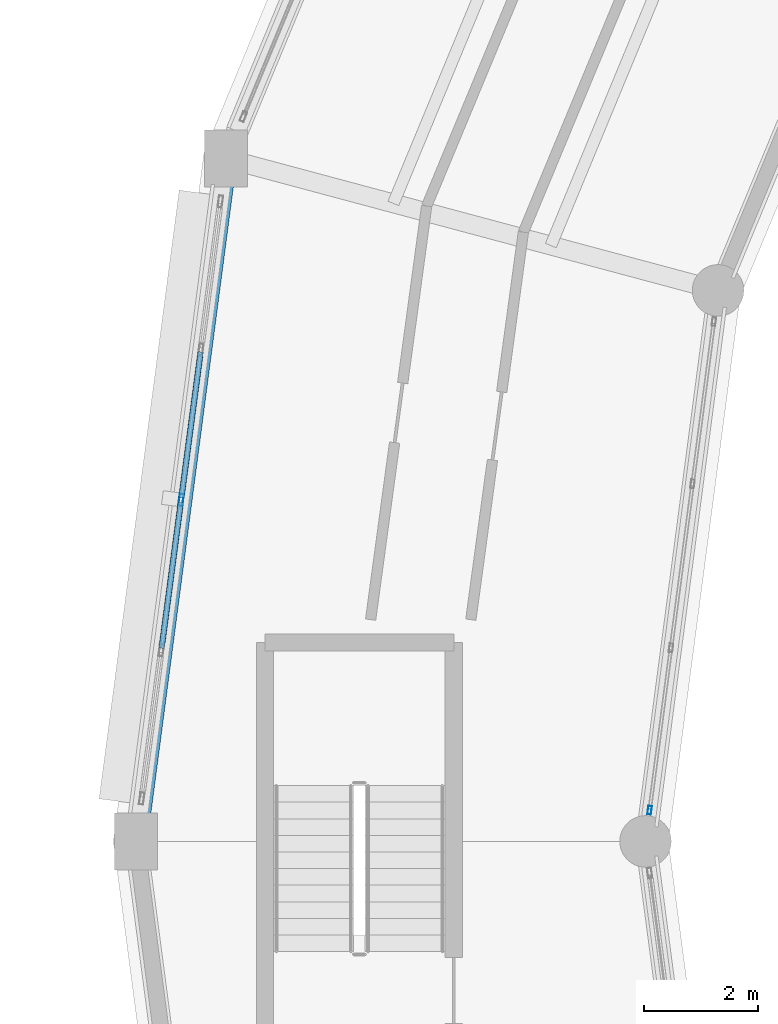
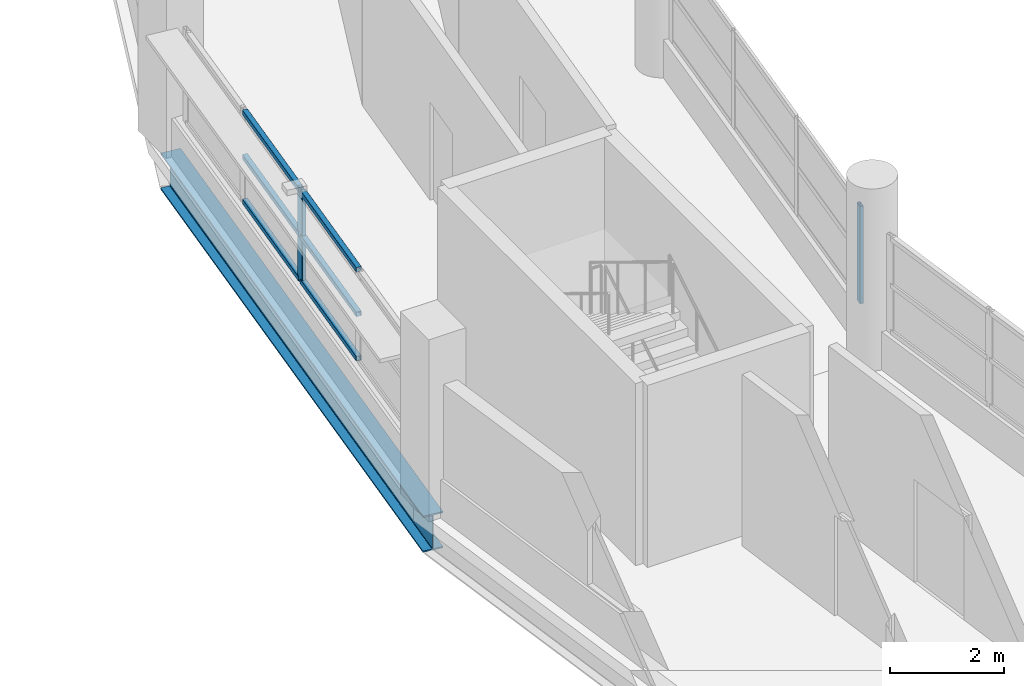
# One storey, part 13 of 53: 8 members, 1 beam, 2 elements without a shape of their own.
"""IFC4 building model written with IfcOpenShell, lengths in metres."""

from ifc_helpers import new_model, si_unit, direction, frame, origin, origin_2d, place, context, subcontext, project, spatial, hollow_rectangle, i_section, extrude, material, layer, layer_set, material_profile, profile_set, type_object, element, aggregate, save


model = new_model("IFC4")

# Units and contexts
model_context = context("Model", 3, precision=1e-05, world=origin(), true_north=direction((0.0, 1.0)))
body_context = subcontext(model_context, "Body", "Model", "MODEL_VIEW")
ifc_project = project(units=[si_unit("LENGTHUNIT", "METRE"), si_unit("AREAUNIT", "SQUARE_METRE"), si_unit("VOLUMEUNIT", "CUBIC_METRE"), si_unit("PLANEANGLEUNIT", "RADIAN"), si_unit("MASSUNIT", "GRAM", prefix="KILO")], contexts=[model_context])

# Site, building, storey
site_placement = place(None, origin())
site = spatial("IfcSite", under=ifc_project, at=site_placement, CompositionType="ELEMENT")
building_placement = place(site_placement, origin())
building = spatial("IfcBuilding", under=site, at=building_placement, Name="Vespera Passage Community Centre", CompositionType="ELEMENT")
storey_placement = place(building_placement, frame((0.0, 0.0, 20.39990234375)))
storey = spatial("IfcBuildingStorey", under=building, at=storey_placement, Name="L05", CompositionType="ELEMENT", Elevation=20.39990234375)

# Beam
ifc_material_1 = material(Name="Steel ASTM A992 Grade 50", Category="steel")
ifc_material_profile_1 = material_profile(ifc_material_1, i_section(OverallWidth=0.382080078125, OverallDepth=0.779296875, WebThickness=0.01806640625, FlangeThickness=0.030029296875, FilletRadius=0.0166015625, at=origin_2d()), Name="W30X191")
ifc_profile_set_1 = profile_set([ifc_material_profile_1], Name="Steel ASTM A992 Grade 50")
beam_type = type_object("IfcBeamType", Name="BM-SP-W30X191E", PredefinedType="SPANDREL", material=ifc_profile_set_1)
beam_placement = place(storey_placement, frame((33.470703125, 77.431640625, -0.649658203125), z_axis=(-0.130523782115, -0.991445178667, 0.0), x_axis=(0.991445178667, -0.130523782115, 0.0)))
element("IfcBeam", 1, at=beam_placement, inside=storey, type_object=beam_type, Name="V4 L05 Outer Spandrel 11", PredefinedType="SPANDREL", context=body_context, shape_type="SweptSolid", body=[
    extrude(i_section(OverallWidth=0.382080078125, OverallDepth=0.779296875, WebThickness=0.01806640625, FlangeThickness=0.030029296875, FilletRadius=0.0166015625, at=origin_2d()), origin(), (0.0, 0.0, 1.0), 12.03466796875),
])

# Curtain wall, member
ifc_material_2 = material(Name="Anodized aluminium 6063-T6", Category="aluminium")
ifc_layer_1 = layer(ifc_material_2, 0.159912109375)
ifc_layer_set_1 = layer_set([ifc_layer_1], Name="Anodized aluminium 6063-T6")
curtain_wall_type_1 = type_object("IfcCurtainWallType", Name="CW-58E", PredefinedType="NOTDEFINED", material=ifc_layer_set_1)
curtain_wall_1_placement = place(storey_placement, origin())
curtain_wall_1 = element("IfcCurtainWall", 2, at=curtain_wall_1_placement, inside=storey, type_object=curtain_wall_type_1, Name="V4 L05 Inner Court Curtain Wall 11", PredefinedType="NOTDEFINED")
ifc_material_3 = material(Name="Anodized aluminium 6063-T6", Category="aluminium")
ifc_material_profile_2 = material_profile(ifc_material_3, hollow_rectangle(XDim=0.06494140625, YDim=0.14990234375, WallThickness=0.00390625, InnerFilletRadius=0.001953125, OuterFilletRadius=0.00390625, at=origin_2d()), Name="ALU150X65X4")
ifc_profile_set_2 = profile_set([ifc_material_profile_2], Name="Anodized aluminium 6063-T6")
member_type_1 = type_object("IfcMemberType", Name="MB-CWM-150E", PredefinedType="MULLION", material=ifc_profile_set_2)
member_1_placement = place(storey_placement, frame((40.871826171875, 66.04541015625, 0.820068359375), z_axis=(0.0, 0.0, 1.0), x_axis=(0.991445387728, -0.1305221941, 0.0)))
member_1 = element("IfcMember", 3, at=member_1_placement, type_object=member_type_1, Name="CW-58E mullion 4", PredefinedType="MULLION", context=body_context, shape_type="SweptSolid", body=[
    extrude(hollow_rectangle(XDim=0.06494140625, YDim=0.14990234375, WallThickness=0.00390625, InnerFilletRadius=0.001953125, OuterFilletRadius=0.00390625, at=origin_2d()), origin(), (0.0, 0.0, 1.0), 2.08935546875),
])
aggregate(curtain_wall_1, [member_1])

# Curtain wall, members
ifc_material_4 = material(Name="Anodized aluminium 6063-T6", Category="aluminium")
ifc_layer_2 = layer(ifc_material_4, 0.159912109375)
ifc_layer_set_2 = layer_set([ifc_layer_2], Name="Anodized aluminium 6063-T6")
curtain_wall_type_2 = type_object("IfcCurtainWallType", Name="CW-63E", PredefinedType="NOTDEFINED", material=ifc_layer_set_2)
curtain_wall_2_placement = place(storey_placement, origin())
curtain_wall_2 = element("IfcCurtainWall", 4, at=curtain_wall_2_placement, inside=storey, type_object=curtain_wall_type_2, Name="V4 L05 Outer Ribbon Curtain Wall 11", PredefinedType="NOTDEFINED")
ifc_material_5 = material(Name="Anodized aluminium 6063-T6", Category="aluminium")
ifc_material_profile_3 = material_profile(ifc_material_5, hollow_rectangle(XDim=0.074951171875, YDim=0.2099609375, WallThickness=0.0048828125, InnerFilletRadius=0.00244140625, OuterFilletRadius=0.0048828125, at=origin_2d()), Name="ALU210X75X5")
ifc_profile_set_3 = profile_set([ifc_material_profile_3], Name="Anodized aluminium 6063-T6")
member_type_2 = type_object("IfcMemberType", Name="MB-CWM-210E", PredefinedType="MULLION", material=ifc_profile_set_3)
member_2_placement = place(storey_placement, frame((32.685302734375, 71.4658203125, 0.820068359375), z_axis=(0.0, 0.0, 1.0), x_axis=(-0.991445298818, 0.130522869458, 0.0)))
member_2 = element("IfcMember", 5, at=member_2_placement, type_object=member_type_2, Name="CW-63E mullion 3", PredefinedType="MULLION", context=body_context, shape_type="SweptSolid", body=[
    extrude(hollow_rectangle(XDim=0.074951171875, YDim=0.2099609375, WallThickness=0.0048828125, InnerFilletRadius=0.00244140625, OuterFilletRadius=0.0048828125, at=origin_2d()), origin(), (0.0, 0.0, 1.0), 2.005615234375),
])
ifc_material_6 = material(Name="Anodized aluminium 6063-T6", Category="aluminium")
ifc_material_profile_4 = material_profile(ifc_material_6, hollow_rectangle(XDim=0.10009765625, YDim=0.10009765625, WallThickness=0.00390625, InnerFilletRadius=0.001953125, OuterFilletRadius=0.00390625, at=origin_2d()), Name="ALU100X100X4")
ifc_profile_set_4 = profile_set([ifc_material_profile_4], Name="Anodized aluminium 6063-T6")
member_type_3 = type_object("IfcMemberType", Name="MB-CWT-100E", PredefinedType="USERDEFINED", material=ifc_profile_set_4)
member_3_placement = place(storey_placement, frame((32.344482421875, 68.876708984375, 0.8701171875), z_axis=(0.13051094341, 0.991446868798, 0.0), x_axis=(-0.991446868798, 0.13051094341, 0.0)))
member_3 = element("IfcMember", 6, at=member_3_placement, type_object=member_type_3, Name="CW-63E transom 2.1", ObjectType="TRANSOM", PredefinedType="USERDEFINED", context=body_context, shape_type="SweptSolid", body=[
    extrude(hollow_rectangle(XDim=0.10009765625, YDim=0.10009765625, WallThickness=0.00390625, InnerFilletRadius=0.001953125, OuterFilletRadius=0.00390625, at=origin_2d()), origin(), (0.0, 0.0, 1.0), 2.573974609375),
])
member_4_placement = place(storey_placement, frame((32.344482421875, 68.876708984375, 1.822998046875), z_axis=(0.13051094341, 0.991446868798, 0.0), x_axis=(-0.991446868798, 0.13051094341, 0.0)))
member_4 = element("IfcMember", 7, at=member_4_placement, type_object=member_type_3, Name="CW-63E transom 2.2", ObjectType="TRANSOM", PredefinedType="USERDEFINED", context=body_context, shape_type="SweptSolid", body=[
    extrude(hollow_rectangle(XDim=0.10009765625, YDim=0.10009765625, WallThickness=0.00390625, InnerFilletRadius=0.001953125, OuterFilletRadius=0.00390625, at=origin_2d()), origin(), (0.0, 0.0, 1.0), 2.573974609375),
])
member_5_placement = place(storey_placement, frame((32.344482421875, 68.876708984375, 2.77587890625), z_axis=(0.13051094341, 0.991446868798, 0.0), x_axis=(-0.991446868798, 0.13051094341, 0.0)))
member_5 = element("IfcMember", 8, at=member_5_placement, type_object=member_type_3, Name="CW-63E transom 2.3", ObjectType="TRANSOM", PredefinedType="USERDEFINED", context=body_context, shape_type="SweptSolid", body=[
    extrude(hollow_rectangle(XDim=0.10009765625, YDim=0.10009765625, WallThickness=0.00390625, InnerFilletRadius=0.001953125, OuterFilletRadius=0.00390625, at=origin_2d()), origin(), (0.0, 0.0, 1.0), 2.573974609375),
])
member_6_placement = place(storey_placement, frame((32.690185546875, 71.5029296875, 0.8701171875), z_axis=(0.130604174191, 0.991434591733, 0.0), x_axis=(-0.991434591733, 0.130604174191, 0.0)))
member_6 = element("IfcMember", 9, at=member_6_placement, type_object=member_type_3, Name="CW-63E transom 3.1", ObjectType="TRANSOM", PredefinedType="USERDEFINED", context=body_context, shape_type="SweptSolid", body=[
    extrude(hollow_rectangle(XDim=0.10009765625, YDim=0.10009765625, WallThickness=0.00390625, InnerFilletRadius=0.001953125, OuterFilletRadius=0.00390625, at=origin_2d()), origin(), (0.0, 0.0, 1.0), 2.573974609375),
])
member_7_placement = place(storey_placement, frame((32.690185546875, 71.5029296875, 1.822998046875), z_axis=(0.130604174191, 0.991434591733, 0.0), x_axis=(-0.991434591733, 0.130604174191, 0.0)))
member_7 = element("IfcMember", 10, at=member_7_placement, type_object=member_type_3, Name="CW-63E transom 3.2", ObjectType="TRANSOM", PredefinedType="USERDEFINED", context=body_context, shape_type="SweptSolid", body=[
    extrude(hollow_rectangle(XDim=0.10009765625, YDim=0.10009765625, WallThickness=0.00390625, InnerFilletRadius=0.001953125, OuterFilletRadius=0.00390625, at=origin_2d()), origin(), (0.0, 0.0, 1.0), 2.573974609375),
])
member_8_placement = place(storey_placement, frame((32.690185546875, 71.5029296875, 2.77587890625), z_axis=(0.130604174191, 0.991434591733, 0.0), x_axis=(-0.991434591733, 0.130604174191, 0.0)))
member_8 = element("IfcMember", 11, at=member_8_placement, type_object=member_type_3, Name="CW-63E transom 3.3", ObjectType="TRANSOM", PredefinedType="USERDEFINED", context=body_context, shape_type="SweptSolid", body=[
    extrude(hollow_rectangle(XDim=0.10009765625, YDim=0.10009765625, WallThickness=0.00390625, InnerFilletRadius=0.001953125, OuterFilletRadius=0.00390625, at=origin_2d()), origin(), (0.0, 0.0, 1.0), 2.573974609375),
])
aggregate(curtain_wall_2, [member_2, member_3, member_4, member_5, member_6, member_7, member_8])

save(model, "model.ifc")
